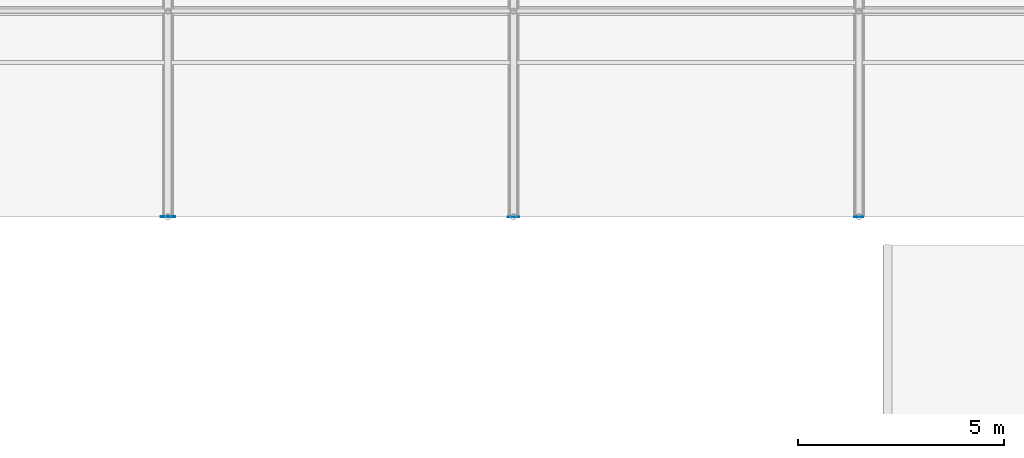
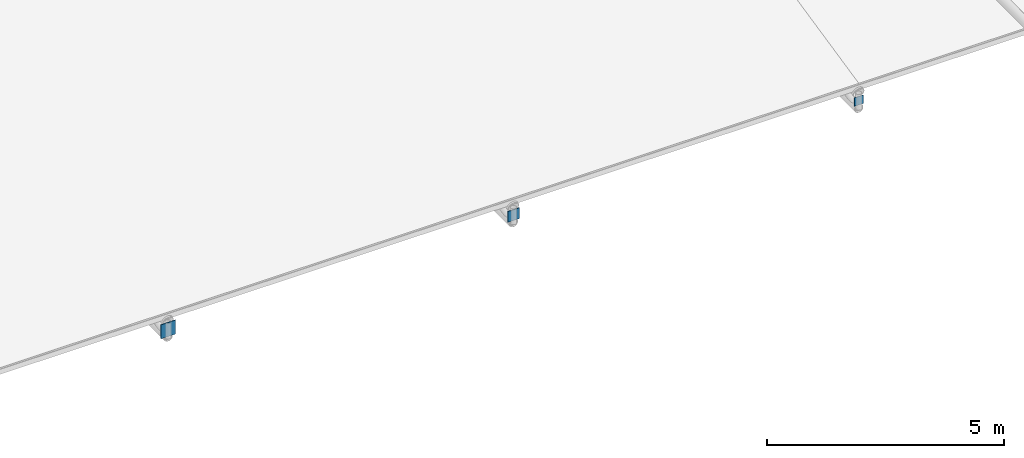
# One storey, part 176 of 194: 3 plates.
"""IFC4 building model written with IfcOpenShell, lengths in metres."""

from ifc_helpers import new_model, si_unit, direction, frame, origin, origin_2d, place, context, subcontext, project, spatial, rectangle, extrude, material, layer, layer_set, type_object, element, save


model = new_model("IFC4")

# Units and contexts
model_context = context("Model", 3, precision=1e-05, world=origin(), true_north=direction((0.0, 1.0)))
body_context = subcontext(model_context, "Body", "Model", "MODEL_VIEW")
ifc_project = project(units=[si_unit("LENGTHUNIT", "METRE"), si_unit("AREAUNIT", "SQUARE_METRE"), si_unit("VOLUMEUNIT", "CUBIC_METRE"), si_unit("PLANEANGLEUNIT", "RADIAN"), si_unit("MASSUNIT", "GRAM", prefix="KILO")], contexts=[model_context])

# Site, building, storey
site_placement = place(None, origin())
site = spatial("IfcSite", under=ifc_project, at=site_placement, CompositionType="ELEMENT")
building_placement = place(site_placement, origin())
building = spatial("IfcBuilding", under=site, at=building_placement, Name="Kazenagashi Tramway Depot", CompositionType="ELEMENT")
storey_placement = place(building_placement, frame((0.0, 0.0, 23.7)))
storey = spatial("IfcBuildingStorey", under=building, at=storey_placement, Name="ROOF", CompositionType="ELEMENT", Elevation=23.7)

# Plates
ifc_material = material(Name="Steel STK490", Category="steel")
ifc_layer_1 = layer(ifc_material, 0.016)
ifc_layer_set_1 = layer_set([ifc_layer_1], Name="Steel STK490")
plate_type_1 = type_object("IfcPlateType", Name="EC-01", PredefinedType="USERDEFINED", material=ifc_layer_set_1)
plate_1_placement = place(storey_placement, frame((128.8, 70.0, -14.08), z_axis=(0.0, 0.0, 1.0), x_axis=(1.0, 0.0, 0.0)))
element("IfcPlate", 1, at=plate_1_placement, inside=storey, type_object=plate_type_1, Name="Structural Node Plate EC-01 PLT-0043", ObjectType="END CAP PLATE", PredefinedType="USERDEFINED", context=body_context, shape_type="SweptSolid", body=[
    extrude(rectangle(XDim=0.36, YDim=0.016, at=origin_2d()), origin(), (0.0, 0.0, 1.0), 0.36),
])
ifc_layer_2 = layer(ifc_material, 0.014)
ifc_layer_set_2 = layer_set([ifc_layer_2], Name="Steel STK490")
plate_type_2 = type_object("IfcPlateType", Name="EC-02", PredefinedType="USERDEFINED", material=ifc_layer_set_2)
plate_2_placement = place(storey_placement, frame((137.2, 70.0, -14.04), z_axis=(0.0, 0.0, 1.0), x_axis=(1.0, 0.0, 0.0)))
element("IfcPlate", 2, at=plate_2_placement, inside=storey, type_object=plate_type_2, Name="Structural Node Plate EC-02 PLT-0047", ObjectType="END CAP PLATE", PredefinedType="USERDEFINED", context=body_context, shape_type="SweptSolid", body=[
    extrude(rectangle(XDim=0.28, YDim=0.014, at=origin_2d()), origin(), (0.0, 0.0, 1.0), 0.28),
])
ifc_layer_3 = layer(ifc_material, 0.012)
ifc_layer_set_3 = layer_set([ifc_layer_3], Name="Steel STK490")
plate_type_3 = type_object("IfcPlateType", Name="EC-03", PredefinedType="USERDEFINED", material=ifc_layer_set_3)
plate_3_placement = place(storey_placement, frame((145.6, 70.0, -14.01), z_axis=(0.0, 0.0, 1.0), x_axis=(1.0, 0.0, 0.0)))
element("IfcPlate", 3, at=plate_3_placement, inside=storey, type_object=plate_type_3, Name="Structural Node Plate EC-03 PLT-0051", ObjectType="END CAP PLATE", PredefinedType="USERDEFINED", context=body_context, shape_type="SweptSolid", body=[
    extrude(rectangle(XDim=0.22, YDim=0.012, at=origin_2d()), origin(), (0.0, 0.0, 1.0), 0.22),
])

save(model, "model.ifc")
